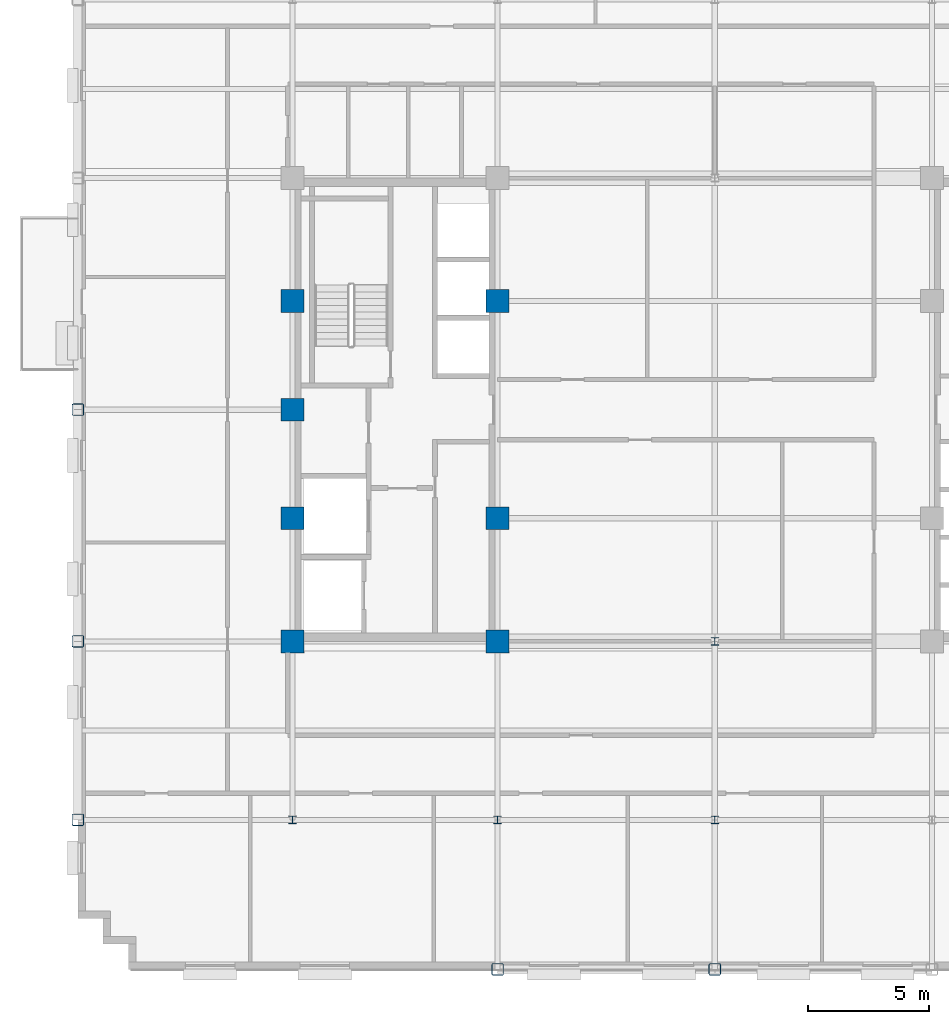
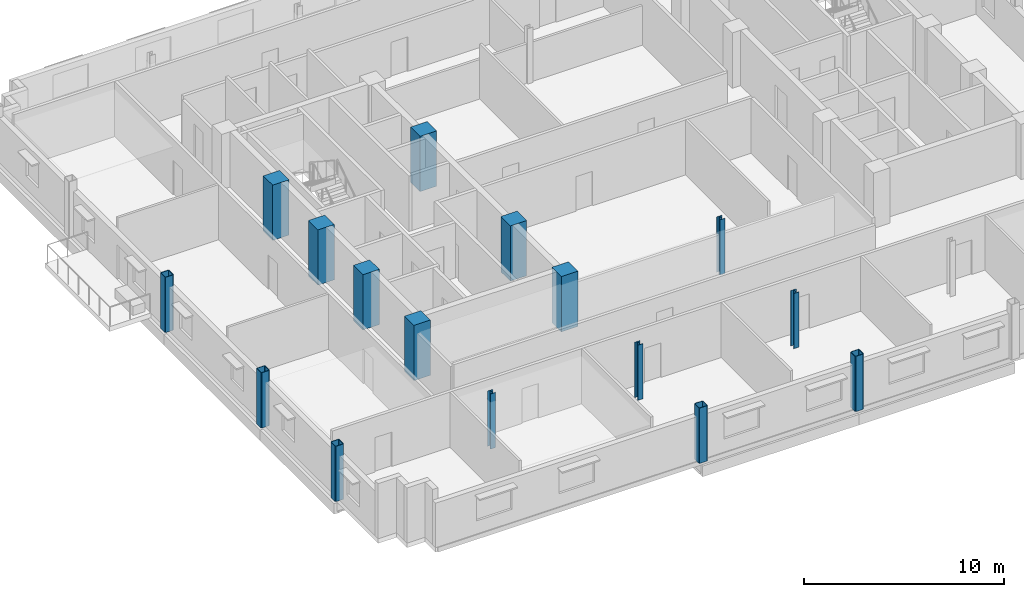
# One storey, part 1 of 15: 16 columns.
"""IFC4 building model written with IfcOpenShell, lengths in metres."""

from ifc_helpers import new_model, si_unit, direction, frame, origin, origin_2d, place, context, subcontext, project, spatial, rectangle, hollow_rectangle, i_section, extrude, material, material_profile, profile_set, type_object, element, save


model = new_model("IFC4")

# Units and contexts
model_context = context("Model", 3, precision=1e-05, world=origin(), true_north=direction((0.0, 1.0)))
body_context = subcontext(model_context, "Body", "Model", "MODEL_VIEW")
ifc_project = project(units=[si_unit("LENGTHUNIT", "METRE"), si_unit("AREAUNIT", "SQUARE_METRE"), si_unit("VOLUMEUNIT", "CUBIC_METRE"), si_unit("PLANEANGLEUNIT", "RADIAN"), si_unit("MASSUNIT", "GRAM", prefix="KILO")], contexts=[model_context])

# Site, building, storey
site_placement = place(None, origin())
site = spatial("IfcSite", under=ifc_project, at=site_placement, CompositionType="ELEMENT")
building_placement = place(site_placement, origin())
building = spatial("IfcBuilding", under=site, at=building_placement, Name="Nuvemarco Arch Tower", CompositionType="ELEMENT")
storey_placement = place(building_placement, frame((0.0, 0.0, 198.199951171875)))
storey = spatial("IfcBuildingStorey", under=building, at=storey_placement, Name="L52", CompositionType="ELEMENT", Elevation=198.199951171875)

# Columns
ifc_material_1 = material(Name="Concrete C50/60", Category="concrete")
ifc_material_profile_1 = material_profile(ifc_material_1, rectangle(XDim=0.949951171875, YDim=0.949951171875, at=origin_2d()), Name="RC-COL-950x950")
ifc_profile_set_1 = profile_set([ifc_material_profile_1], Name="Concrete C50/60")
column_type_1 = type_object("IfcColumnType", Name="COL-CORE-950", PredefinedType="COLUMN", material=ifc_profile_set_1)
for number, where, z_axis, x_axis, name in (
    (1, (-17.5, -9.60009765625, 0.0), (0.0, 0.0, 1.0), (1.0, 0.0, 0.0), "L52 column CC_-17.5_-9.6"),
    (2, (-17.5, -4.5, 0.0), (0.0, 0.0, 1.0), (1.0, 0.0, 0.0), "L52 column CC_-17.5_-4.5"),
    (3, (-17.5, 4.5, 0.0), (0.0, 0.0, 1.0), (1.0, 0.0, 0.0), "L52 column CC_-17.5_+4.5"),
    (4, (-9.0, -9.60009765625, 0.0), (0.0, 0.0, 1.0), (1.0, 0.0, 0.0), "L52 column CC_-9.0_-9.6"),
    (5, (-9.0, -4.5, 0.0), (0.0, 0.0, 1.0), (1.0, 0.0, 0.0), "L52 column CC_-9.0_-4.5"),
    (6, (-9.0, 4.5, 0.0), (0.0, 0.0, 1.0), (1.0, 0.0, 0.0), "L52 column CC_-9.0_+4.5"),
    (7, (-17.5, 0.0, 0.0), (0.0, 0.0, 1.0), (1.0, 0.0, 0.0), "L52 column CC_-17.5_+0.0"),
):
    element("IfcColumn", number, at=place(storey_placement, frame(where, z_axis=z_axis, x_axis=x_axis)), inside=storey, type_object=column_type_1, Name=name, PredefinedType="COLUMN", context=body_context, shape_type="SweptSolid", body=[
        extrude(rectangle(XDim=0.949951171875, YDim=0.949951171875, at=origin_2d()), origin(), (0.0, 0.0, 1.0), 3.3701171875),
    ])
ifc_material_2 = material(Name="Steel S355", Category="steel")
ifc_material_profile_2 = material_profile(ifc_material_2, hollow_rectangle(XDim=0.5, YDim=0.5, WallThickness=0.031982421875, InnerFilletRadius=0.031982421875, OuterFilletRadius=0.06396484375, at=origin_2d()), Name="SHS500x500x32")
ifc_profile_set_2 = profile_set([ifc_material_profile_2], Name="Steel S355")
column_type_2 = type_object("IfcColumnType", Name="COL-EXO-500", PredefinedType="COLUMN", material=ifc_profile_set_2)
for number, where, z_axis, x_axis, name in (
    (8, (-26.39990234375, -17.0, 0.0), (0.0, 0.0, 1.0), (1.0, 0.0, 0.0), "L52 column CX_-26.4_-17.0"),
    (9, (-26.39990234375, -9.60009765625, 0.0), (0.0, 0.0, 1.0), (1.0, 0.0, 0.0), "L52 column CX_-26.4_-9.6"),
    (10, (-26.39990234375, 0.0, 0.0), (0.0, 0.0, 1.0), (1.0, 0.0, 0.0), "L52 column CX_-26.4_+0.0"),
    (11, (-9.0, -23.199951171875, 0.0), (0.0, 0.0, 1.0), (1.0, 0.0, 0.0), "L52 column CY_-9.0_-23.2"),
    (12, (0.0, -23.199951171875, 0.0), (0.0, 0.0, 1.0), (1.0, 0.0, 0.0), "L52 column CY_+0.0_-23.2"),
):
    element("IfcColumn", number, at=place(storey_placement, frame(where, z_axis=z_axis, x_axis=x_axis)), inside=storey, type_object=column_type_2, Name=name, PredefinedType="COLUMN", context=body_context, shape_type="SweptSolid", body=[
        extrude(hollow_rectangle(XDim=0.5, YDim=0.5, WallThickness=0.031982421875, InnerFilletRadius=0.031982421875, OuterFilletRadius=0.06396484375, at=origin_2d()), origin(), (0.0, 0.0, 1.0), 3.3701171875),
    ])
ifc_material_profile_3 = material_profile(ifc_material_2, i_section(OverallWidth=0.31005859375, OverallDepth=0.31005859375, WebThickness=0.015380859375, FlangeThickness=0.015380859375, FilletRadius=0.014892578125, at=origin_2d()), Name="HP310x110")
ifc_profile_set_3 = profile_set([ifc_material_profile_3], Name="Steel S355")
column_type_3 = type_object("IfcColumnType", Name="COL-STL-HP310", PredefinedType="COLUMN", material=ifc_profile_set_3)
for number, where, z_axis, x_axis, name in (
    (13, (0.0, -17.0, 0.0), (0.0, 0.0, 1.0), (1.0, 0.0, 0.0), "L52 column CI_+0.0_-17.0"),
    (14, (0.0, -9.60009765625, 0.0), (0.0, 0.0, 1.0), (1.0, 0.0, 0.0), "L52 column CI_+0.0_-9.6"),
    (15, (-17.5, -17.0, 0.0), (0.0, 0.0, 1.0), (1.0, 0.0, 0.0), "L52 column CI_-17.5_-17.0"),
    (16, (-9.0, -17.0, 0.0), (0.0, 0.0, 1.0), (1.0, 0.0, 0.0), "L52 column CI_-9.0_-17.0"),
):
    element("IfcColumn", number, at=place(storey_placement, frame(where, z_axis=z_axis, x_axis=x_axis)), inside=storey, type_object=column_type_3, Name=name, PredefinedType="COLUMN", context=body_context, shape_type="SweptSolid", body=[
        extrude(i_section(OverallWidth=0.31005859375, OverallDepth=0.31005859375, WebThickness=0.015380859375, FlangeThickness=0.015380859375, FilletRadius=0.014892578125, at=origin_2d()), origin(), (0.0, 0.0, 1.0), 3.3701171875),
    ])

save(model, "model.ifc")
